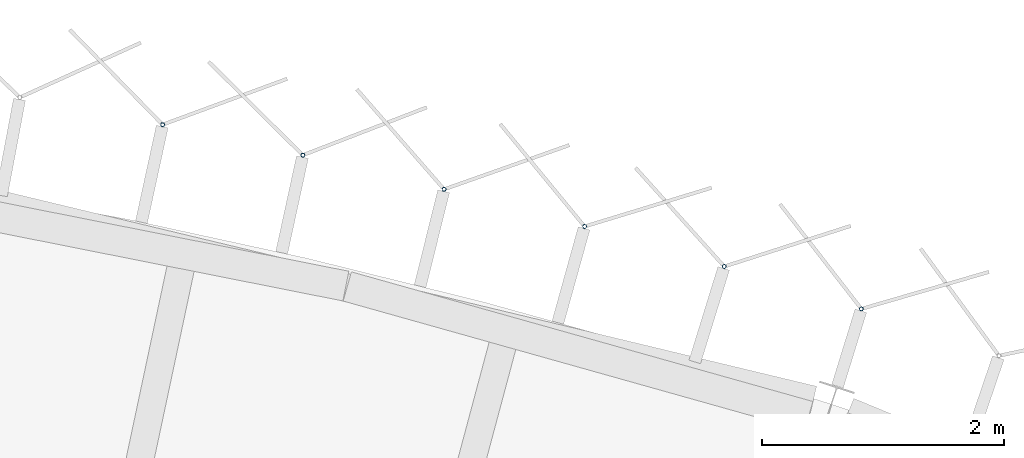
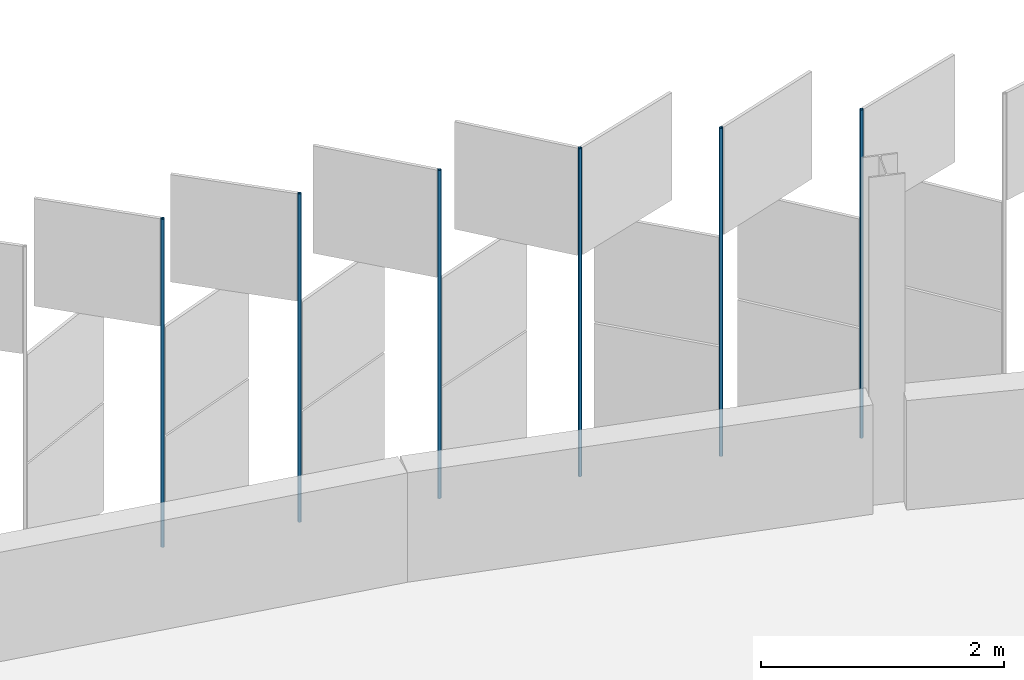
# One storey, part 158 of 198: 6 discrete accessories.
"""IFC4 building model written with IfcOpenShell, lengths in metres."""

import ifcopenshell
import ifcopenshell.guid

model = None  # the IFC model being written
_history = None  # IfcOwnerHistory: only IFC2X3 demands one
_inside = {}  # id of a spatial element -> (the spatial element, [elements in it])
_under = {}  # id of a project, library or spatial element -> (it, [spatial elements below it])
_declared = {}  # id of a project -> (the project, [libraries it declares])
_typed = {}  # id of a type object -> (the type object, [elements of that type])
_made_of = {}  # id of a material, layer set ... -> (it, [elements and type objects made of it])


def new_model(schema):
    """Start an empty IFC model of exactly this schema.

    Asked for "IFC4X3", IfcOpenShell would pick the latest addendum, in which some entities
    have other attributes; the version numbers below select the first issue.
    IFC2X3 requires an IfcOwnerHistory on every rooted entity: one is made here for all.
    """
    global model, _history
    if schema == "IFC4X3":
        model = ifcopenshell.file(schema_version=(4, 3, 0, 0))
    else:
        model = ifcopenshell.file(schema=schema)
    _inside.clear()
    _under.clear()
    _declared.clear()
    _typed.clear()
    _made_of.clear()
    _history = None
    if model.schema == "IFC2X3":
        org = make("IfcOrganization", Name="unknown")
        user = make(
            "IfcPersonAndOrganization",
            ThePerson=make("IfcPerson", FamilyName="unknown"),
            TheOrganization=org,
        )
        app = make(
            "IfcApplication",
            ApplicationDeveloper=org,
            Version="unknown",
            ApplicationFullName="unknown",
            ApplicationIdentifier="unknown",
        )
        _history = make(
            "IfcOwnerHistory",
            OwningUser=user,
            OwningApplication=app,
            ChangeAction="ADDED",
            CreationDate=0,
        )
    return model


def make(cls, **values):
    """One entity of the class cls with the attributes given. An attribute that is None is left unset."""
    return model.create_entity(
        cls, **{name: value for name, value in values.items() if value is not None}
    )


def rooted(cls, **values):
    """An entity with a GlobalId (a new one), such as an element, a storey or a relation."""
    return make(cls, GlobalId=ifcopenshell.guid.new(), OwnerHistory=_history, **values)


def si_unit(unit_type, name, prefix=None):
    """IfcSIUnit, for example si_unit("LENGTHUNIT", "METRE", prefix="MILLI")."""
    return make("IfcSIUnit", UnitType=unit_type, Prefix=prefix, Name=name)


def assignment(units):
    """IfcUnitAssignment: the units of a project."""
    return None if units is None else make("IfcUnitAssignment", Units=units)


def point(xyz):
    """IfcCartesianPoint."""
    return None if xyz is None else make("IfcCartesianPoint", Coordinates=xyz)


def direction(xyz):
    """IfcDirection."""
    return None if xyz is None else make("IfcDirection", DirectionRatios=xyz)


def frame(location, z_axis=None, x_axis=None):
    """IfcAxis2Placement3D, a coordinate frame: its origin and axes. An axis left out is left unset."""
    return make(
        "IfcAxis2Placement3D",
        Location=point(location),
        Axis=direction(z_axis),
        RefDirection=direction(x_axis),
    )


def frame_2d(location, x_axis=None):
    """IfcAxis2Placement2D, a coordinate frame in the plane: its origin and x axis."""
    return make(
        "IfcAxis2Placement2D", Location=point(location), RefDirection=direction(x_axis)
    )


def origin():
    """The frame at (0, 0, 0) with its axes left unset."""
    return frame((0.0, 0.0, 0.0))


def origin_2d():
    """The frame at (0, 0) in the plane with its x axis left unset."""
    return frame_2d((0.0, 0.0))


def place(relative_to, where):
    """IfcLocalPlacement: puts the frame where relative to a parent placement (None: the world)."""
    return make(
        "IfcLocalPlacement", PlacementRelTo=relative_to, RelativePlacement=where
    )


def context(
    kind, dimensions, precision=None, world=None, true_north=None, identifier=None
):
    """IfcGeometricRepresentationContext, for example the 3D "Model" context."""
    return make(
        "IfcGeometricRepresentationContext",
        ContextIdentifier=identifier,
        ContextType=kind,
        CoordinateSpaceDimension=dimensions,
        Precision=precision,
        WorldCoordinateSystem=world,
        TrueNorth=true_north,
    )


def subcontext(parent, identifier, kind, view, scale=None):
    """IfcGeometricRepresentationSubContext, for example "Body" below "Model"."""
    return make(
        "IfcGeometricRepresentationSubContext",
        ContextIdentifier=identifier,
        ContextType=kind,
        ParentContext=parent,
        TargetScale=scale,
        TargetView=view,
    )


def project(units=None, contexts=None):
    """IfcProject with its units and contexts."""
    return rooted(
        "IfcProject",
        Name="project",
        RepresentationContexts=contexts,
        UnitsInContext=assignment(units),
    )


def spatial(cls, under=None, at=None, **own):
    """A site, building, storey or space (cls), placed at a placement, below another one or the project."""
    s = rooted(cls, ObjectPlacement=at, **own)
    if under is not None:
        _under.setdefault(under.id(), (under, []))[1].append(s)
    return s


def profile(cls, at=None, kind="AREA", **sizes):
    """A parametric profile (cls). Its sizes go by their IFC names, for example OverallWidth=200.0."""
    return make(cls, ProfileType=kind, Position=at, **sizes)


def hollow_circle(**sizes):
    """IfcCircleHollowProfileDef."""
    return profile("IfcCircleHollowProfileDef", **sizes)


def extrude(swept, where, along, depth):
    """IfcExtrudedAreaSolid: the profile swept, set in the frame where, extruded along a direction by depth."""
    return make(
        "IfcExtrudedAreaSolid",
        SweptArea=swept,
        Position=where,
        ExtrudedDirection=direction(along),
        Depth=depth,
    )


def shape(context_of_items, identifier, shape_type, items):
    """IfcShapeRepresentation: the items that make up one representation, for example the "Body"."""
    return make(
        "IfcShapeRepresentation",
        ContextOfItems=context_of_items,
        RepresentationIdentifier=identifier,
        RepresentationType=shape_type,
        Items=items,
    )


def material(Name=None, Category=None):
    """IfcMaterial."""
    return make("IfcMaterial", Name=Name, Category=Category)


def material_profile(
    of_material, cross_section, Name=None, Category=None, Priority=None
):
    """IfcMaterialProfile: a cross section and its material."""
    return make(
        "IfcMaterialProfile",
        Name=Name,
        Material=of_material,
        Profile=cross_section,
        Priority=Priority,
        Category=Category,
    )


def profile_set(profiles, Name=None, composite=None):
    """IfcMaterialProfileSet."""
    return make(
        "IfcMaterialProfileSet",
        Name=Name,
        MaterialProfiles=profiles,
        CompositeProfile=composite,
    )


def made_of(thing, what):
    """Note that an element or type object is made of a material, layer set ...; save() writes the relation."""
    if what is not None:
        _made_of.setdefault(what.id(), (what, []))[1].append(thing)
    return thing


def type_object(cls, material=None, **own):
    """A type object (cls), such as IfcWallType, which elements share."""
    return made_of(rooted(cls, **own), material)


def element(
    cls,
    number,
    at=None,
    inside=None,
    cuts=None,
    type_object=None,
    material=None,
    context=None,
    identifier="Body",
    shape_type=None,
    held_by="IfcProductDefinitionShape",
    body=None,
    shapes=None,
    **own,
):
    """One element of the class cls, such as IfcWall. Its Tag is "e" and its number.

    at: its placement. inside: the storey or other place that contains it. cuts: it is an
    opening in that element (IfcRelVoidsElement). A single representation is given by context,
    identifier, shape_type and body (its items); several are given by shapes. held_by: the class
    of the entity that holds the representations. save() writes the other relations.
    """
    e = rooted(cls, Tag="e%d" % number, ObjectPlacement=at, **own)
    if body is not None:
        shapes = [shape(context, identifier, shape_type, body)]
    if shapes is not None:
        e.Representation = make(held_by, Representations=shapes)
    if inside is not None:
        _inside.setdefault(inside.id(), (inside, []))[1].append(e)
    if cuts is not None:
        rooted(
            "IfcRelVoidsElement", RelatingBuildingElement=cuts, RelatedOpeningElement=e
        )
    if type_object is not None:
        _typed.setdefault(type_object.id(), (type_object, []))[1].append(e)
    return made_of(e, material)


def aggregate(whole, parts):
    """IfcRelAggregates: a whole, such as a stair, and the parts it consists of."""
    return rooted("IfcRelAggregates", RelatingObject=whole, RelatedObjects=parts)


def save(model, path):
    """Write the relations noted so far, then the file.

    IfcRelAggregates (storeys below a building ...), IfcRelContainedInSpatialStructure (elements
    in a storey), IfcRelDefinesByType, IfcRelAssociatesMaterial and IfcRelDeclares: one each for
    every whole, place, type object, material and project.
    """
    for whole, parts in _under.values():
        aggregate(whole, parts)
    for where, things in _inside.values():
        rooted(
            "IfcRelContainedInSpatialStructure",
            RelatedElements=things,
            RelatingStructure=where,
        )
    for kind, things in _typed.values():
        rooted("IfcRelDefinesByType", RelatedObjects=things, RelatingType=kind)
    for what, things in _made_of.values():
        rooted("IfcRelAssociatesMaterial", RelatedObjects=things, RelatingMaterial=what)
    for by, libraries in _declared.values():
        rooted("IfcRelDeclares", RelatingContext=by, RelatedDefinitions=libraries)
    model.write(path)


model = new_model("IFC4")

# Units and contexts
model_context = context("Model", 3, precision=1e-05, world=origin(), true_north=direction((0.0, 1.0)))
body_context = subcontext(model_context, "Body", "Model", "MODEL_VIEW")
ifc_project = project(units=[si_unit("LENGTHUNIT", "METRE"), si_unit("AREAUNIT", "SQUARE_METRE"), si_unit("VOLUMEUNIT", "CUBIC_METRE"), si_unit("PLANEANGLEUNIT", "RADIAN"), si_unit("MASSUNIT", "GRAM", prefix="KILO")], contexts=[model_context])

# Site, building, storey
site_placement = place(None, origin())
site = spatial("IfcSite", under=ifc_project, at=site_placement, CompositionType="ELEMENT")
building_placement = place(site_placement, origin())
building = spatial("IfcBuilding", under=site, at=building_placement, Name="Parallax Yard Mobility Hub", CompositionType="ELEMENT")
storey_placement = place(building_placement, frame((0.0, 0.0, 6.60009765625)))
storey = spatial("IfcBuildingStorey", under=building, at=storey_placement, Name="L02", CompositionType="ELEMENT", Elevation=6.60009765625)

# Discrete accessories
ifc_material = material(Name="Steel ASTM A500 Gr C, hot-dip galvanised", Category="steel")
ifc_material_profile = material_profile(ifc_material, hollow_circle(Radius=0.016845703125, WallThickness=0.003173828125, at=origin_2d()), Name="CHS 33.7x3.2")
ifc_profile_set = profile_set([ifc_material_profile], Name="Steel ASTM A500 Gr C, hot-dip galvanised")
discrete_accessory_type = type_object("IfcDiscreteAccessoryType", Name="Hinge post CHS 33.7x3.2", PredefinedType="BRACKET", material=ifc_profile_set)
for number, where, z_axis, x_axis, name in (
    (1, (188.970703125, 140.71630859375, 0.0), (0.0, 0.0, 1.0), (1.0, 0.0, 0.0), "Hinge post bay 49.1 level L02"),
    (2, (187.8388671875, 141.06640625, 0.0), (0.0, 0.0, 1.0), (1.0, 0.0, 0.0), "Hinge post bay 49.2 level L02"),
    (3, (186.685791015625, 141.396728515625, 0.0), (0.0, 0.0, 1.0), (1.0, 0.0, 0.0), "Hinge post bay 49.3 level L02"),
    (4, (185.52587890625, 141.703369140625, 0.0), (0.0, 0.0, 1.0), (1.0, 0.0, 0.0), "Hinge post bay 49.4 level L02"),
    (5, (184.360107421875, 141.985595703125, 0.0), (0.0, 0.0, 1.0), (1.0, 0.0, 0.0), "Hinge post bay 49.5 level L02"),
    (6, (183.202392578125, 142.2373046875, 0.0), (0.0, 0.0, 1.0), (1.0, 0.0, 0.0), "Hinge post bay 49.6 level L02"),
):
    element("IfcDiscreteAccessory", number, at=place(storey_placement, frame(where, z_axis=z_axis, x_axis=x_axis)), inside=storey, type_object=discrete_accessory_type, Name=name, PredefinedType="BRACKET", context=body_context, shape_type="SweptSolid", body=[
        extrude(hollow_circle(Radius=0.016845703125, WallThickness=0.003173828125, at=origin_2d()), origin(), (0.0, 0.0, 1.0), 3.2998046875),
    ])

save(model, "model.ifc")
